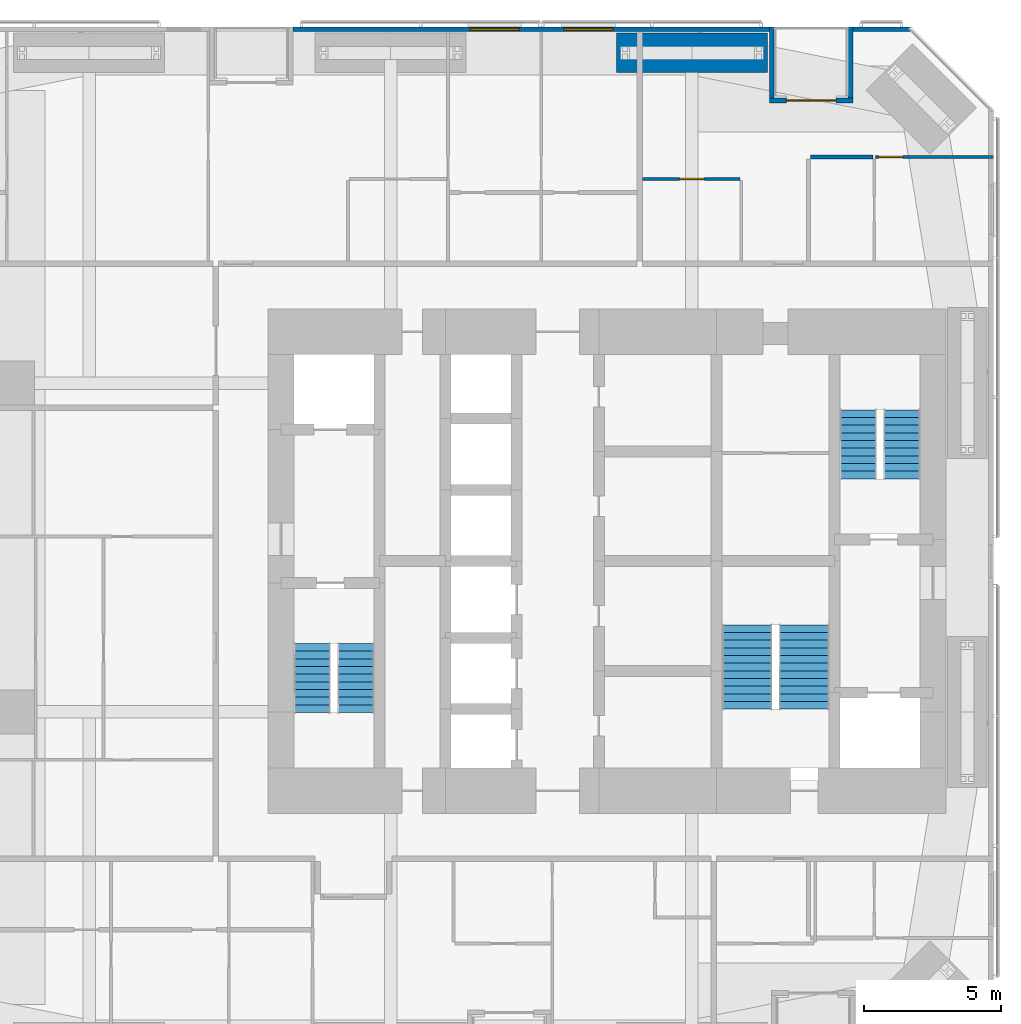
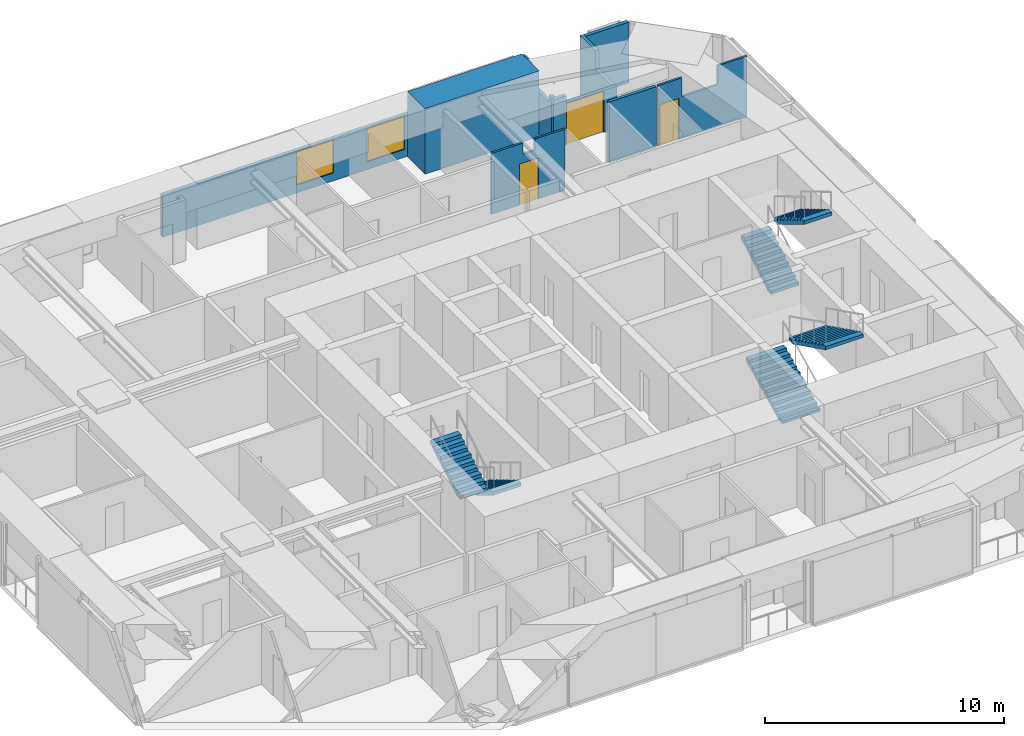
# One storey, part 23 of 24: 10 walls, 6 stair flights, 3 doors, 2 windows, 5 openings, 3 elements without a shape of their own.
"""IFC4 building model written with IfcOpenShell, lengths in metres."""

from ifc_helpers import new_model, si_unit, direction, frame, frame_2d, origin, place, context, subcontext, project, spatial, polyline, rectangle, outline, extrude, material, layer, layer_set, constituent, constituent_set, type_object, element, fill, aggregate, save


model = new_model("IFC4")

# Units and contexts
model_context = context("Model", 3, precision=1e-05, world=origin(), true_north=direction((0.0, 1.0)))
body_context = subcontext(model_context, "Body", "Model", "MODEL_VIEW")
ifc_project = project(units=[si_unit("LENGTHUNIT", "METRE"), si_unit("AREAUNIT", "SQUARE_METRE"), si_unit("VOLUMEUNIT", "CUBIC_METRE"), si_unit("PLANEANGLEUNIT", "RADIAN"), si_unit("MASSUNIT", "GRAM", prefix="KILO")], contexts=[model_context])

# Site, building, storey
site_placement = place(None, origin())
site = spatial("IfcSite", under=ifc_project, at=site_placement, CompositionType="ELEMENT")
building_placement = place(site_placement, origin())
building = spatial("IfcBuilding", under=site, at=building_placement, Name="Jalousie Tower", CompositionType="ELEMENT")
storey_placement = place(building_placement, frame((0.0, 0.0, 54.5)))
storey = spatial("IfcBuildingStorey", under=building, at=storey_placement, Name="L14", CompositionType="ELEMENT", Elevation=54.5)

# Walls
ifc_material_1 = material(Name="Concrete block ASTM C90", Category="concrete")
ifc_constituent_1 = constituent(ifc_material_1, Name="Body")
ifc_material_2 = material(Name="Render")
ifc_constituent_2 = constituent(ifc_material_2, Name="Finish")
ifc_constituent_set_1 = constituent_set(constituents=[ifc_constituent_1, ifc_constituent_2])
wall_type_1 = type_object("IfcWallType", Name="BATHROOM WALL 150", PredefinedType="PLUMBINGWALL", material=ifc_constituent_set_1)
wall_1_placement = place(storey_placement, frame((39.324951171875, 33.25341796875, 0.0), z_axis=(0.0, 0.0, 1.0), x_axis=(1.0, 0.0, 0.0)))
element("IfcWall", 1, at=wall_1_placement, inside=storey, type_object=wall_type_1, Name="Bathroom Wall 150 L14", PredefinedType="PLUMBINGWALL", context=body_context, shape_type="SweptSolid", body=[
    extrude(rectangle(XDim=2.275146484375, YDim=0.14990234375, at=frame_2d((1.1376953125, 0.0))), origin(), (0.0, 0.0, 1.0), 3.110107421875),
])
ifc_material_3 = material(Name="Concrete f'c 40 MPa", Category="concrete")
ifc_constituent_3 = constituent(ifc_material_3, Name="Body")
ifc_material_4 = material(Name="Render, pastel coral")
ifc_constituent_4 = constituent(ifc_material_4, Name="Finish")
ifc_constituent_set_2 = constituent_set(constituents=[ifc_constituent_3, ifc_constituent_4])
wall_type_2 = type_object("IfcWallType", Name="EXTERNAL WALL 175 CORAL RENDER", PredefinedType="SOLIDWALL", material=ifc_constituent_set_2)
wall_2_placement = place(storey_placement, frame((42.94873046875, 37.91259765625, 0.0), z_axis=(0.0, 0.0, 1.0), x_axis=(-1.0, 0.0, 0.0)))
element("IfcWall", 2, at=wall_2_placement, inside=storey, type_object=wall_type_2, Name="External Wall 175 Coral Render L14", PredefinedType="SOLIDWALL", context=body_context, shape_type="SweptSolid", body=[
    extrude(rectangle(XDim=2.074951171875, YDim=0.175048828125, at=frame_2d((1.03759765625, 0.0))), origin(), (0.0, 0.0, 1.0), 3.110107421875),
])

# Wall, openings, windows
wall_3_placement = place(storey_placement, frame((37.82373046875, 37.91259765625, 0.0), z_axis=(0.0, 0.0, 1.0), x_axis=(-1.0, 0.0, 0.0)))
wall_3 = element("IfcWall", 3, at=wall_3_placement, inside=storey, type_object=wall_type_2, Name="External Wall 175 Coral Render L14", PredefinedType="SOLIDWALL", context=body_context, shape_type="SweptSolid", body=[
    extrude(outline(polyline([(0.0, 0.0), (17.373779296875, 0.0), (17.373779296875, 2.14990234375), (2.82373046875, 2.14990234375), (2.82373046875, 3.110107421875), (2.66796875, 3.110107421875), (2.66796875, 2.14990234375), (2.61962890625, 2.14990234375), (2.61962890625, 3.110107421875), (0.0, 3.110107421875), (0.0, 0.0)])), frame((0.0, 0.08740234375, 0.0), z_axis=(0.0, -1.0, 0.0), x_axis=(1.0, 0.0, 0.0)), (0.0, 0.0, 1.0), 0.175048828125),
])
opening_1_placement = place(wall_3_placement, frame((5.69873046875, 0.0, 0.39990234375)))
opening_1 = element("IfcOpeningElement", 4, at=opening_1_placement, cuts=wall_3, Name="Opening W-BED170", PredefinedType="OPENING", context=body_context, shape_type="SweptSolid", body=[
    extrude(rectangle(XDim=1.800048828125, YDim=1.699951171875, at=frame_2d((0.89990234375, 0.85009765625))), frame((0.0, 0.097412109375, 0.0), z_axis=(0.0, -1.0, 0.0), x_axis=(1.0, 0.0, 0.0)), (0.0, 0.0, 1.0), 0.195068359375),
])
opening_2_placement = place(wall_3_placement, frame((9.123779296875, 0.0, 0.39990234375)))
opening_2 = element("IfcOpeningElement", 5, at=opening_2_placement, cuts=wall_3, Name="Opening W-BED170", PredefinedType="OPENING", context=body_context, shape_type="SweptSolid", body=[
    extrude(rectangle(XDim=1.800048828125, YDim=1.699951171875, at=frame_2d((0.89990234375, 0.85009765625))), frame((0.0, 0.097412109375, 0.0), z_axis=(0.0, -1.0, 0.0), x_axis=(1.0, 0.0, 0.0)), (0.0, 0.0, 1.0), 0.195068359375),
])
ifc_material_5 = material(Name="Aluminium frame, impact-rated glazing", Category="aluminium")
window_type = type_object("IfcWindowType", Name="WINDOW BED 1800x1700", PartitioningType="SINGLE_PANEL", PredefinedType="WINDOW", material=ifc_material_5)
window_1_placement = place(opening_1_placement, origin())
window_1 = element("IfcWindow", 6, at=window_1_placement, inside=storey, type_object=window_type, Name="Apartment 1403 bedroom 4 window", OverallHeight=1.699951171875, OverallWidth=1.800048828125, PartitioningType="SINGLE_PANEL", PredefinedType="WINDOW", context=body_context, shape_type="SweptSolid", body=[
    extrude(rectangle(XDim=1.800048828125, YDim=1.699951171875, at=frame_2d((0.89990234375, 0.85009765625))), frame((0.0, 0.030029296875, 0.0), z_axis=(0.0, -1.0, 0.0), x_axis=(1.0, 0.0, 0.0)), (0.0, 0.0, 1.0), 0.06005859375),
])
fill(opening_1, window_1)
window_2_placement = place(opening_2_placement, origin())
window_2 = element("IfcWindow", 7, at=window_2_placement, inside=storey, type_object=window_type, Name="Apartment 1403 bedroom 3 window", OverallHeight=1.699951171875, OverallWidth=1.800048828125, PartitioningType="SINGLE_PANEL", PredefinedType="WINDOW", context=body_context, shape_type="SweptSolid", body=[
    extrude(rectangle(XDim=1.800048828125, YDim=1.699951171875, at=frame_2d((0.89990234375, 0.85009765625))), frame((0.0, 0.030029296875, 0.0), z_axis=(0.0, -1.0, 0.0), x_axis=(1.0, 0.0, 0.0)), (0.0, 0.0, 1.0), 0.06005859375),
])
fill(opening_2, window_2)

# Wall, opening, door
wall_4_placement = place(storey_placement, frame((40.873779296875, 35.3125, 0.0), z_axis=(0.0, 0.0, 1.0), x_axis=(-1.0, 0.0, 0.0)))
wall_4 = element("IfcWall", 8, at=wall_4_placement, inside=storey, type_object=wall_type_2, Name="External Wall 175 Coral Render L14-A", PredefinedType="SOLIDWALL", context=body_context, shape_type="SweptSolid", body=[
    extrude(rectangle(XDim=2.425048828125, YDim=0.175048828125, at=frame_2d((1.21240234375, 0.0))), origin(), (0.0, 0.0, 1.0), 2.14990234375),
])
opening_3_placement = place(wall_4_placement, frame((0.625, 0.0, 0.0)))
opening_3 = element("IfcOpeningElement", 9, at=opening_3_placement, cuts=wall_4, Name="Opening D-BAL21", PredefinedType="OPENING", context=body_context, shape_type="SweptSolid", body=[
    extrude(rectangle(XDim=1.800048828125, YDim=2.10009765625, at=frame_2d((0.89990234375, 1.050048828125))), frame((0.0, 0.097412109375, 0.0), z_axis=(0.0, -1.0, 0.0), x_axis=(1.0, 0.0, 0.0)), (0.0, 0.0, 1.0), 0.195068359375),
])
ifc_material_6 = material(Name="Aluminium frame, impact-rated glazing", Category="aluminium")
door_type_1 = type_object("IfcDoorType", Name="BALCONY DOOR 1800x2100", OperationType="SLIDING_TO_LEFT", PredefinedType="DOOR", material=ifc_material_6)
door_1_placement = place(opening_3_placement, origin())
door_1 = element("IfcDoor", 10, at=door_1_placement, inside=storey, type_object=door_type_1, Name="Apartment 1404 living and dining room loggia door", OperationType="SLIDING_TO_LEFT", OverallHeight=2.10009765625, OverallWidth=1.800048828125, PredefinedType="DOOR", context=body_context, shape_type="SweptSolid", body=[
    extrude(rectangle(XDim=1.800048828125, YDim=2.10009765625, at=frame_2d((0.89990234375, 1.050048828125))), frame((0.0, 0.02490234375, 0.0), z_axis=(0.0, -1.0, 0.0), x_axis=(1.0, 0.0, 0.0)), (0.0, 0.0, 1.0), 0.050048828125),
])
fill(opening_3, door_1)

# Walls
wall_5_placement = place(storey_placement, frame((38.44873046875, 35.3125, 0.0), z_axis=(0.0, 0.0, 1.0), x_axis=(-1.0, 0.0, 0.0)))
element("IfcWall", 11, at=wall_5_placement, inside=storey, type_object=wall_type_2, Name="External Wall 175 Coral Render L14-B", PredefinedType="SOLIDWALL", context=body_context, shape_type="SweptSolid", body=[
    extrude(rectangle(XDim=0.625, YDim=0.175048828125, at=frame_2d((0.3125, 0.0))), origin(), (0.0, 0.0, 1.0), 2.510009765625),
])
wall_6_placement = place(storey_placement, frame((40.7861328125, 38.0, 0.0), z_axis=(0.0, 0.0, 1.0), x_axis=(0.0, -1.0, 0.0)))
element("IfcWall", 12, at=wall_6_placement, inside=storey, type_object=wall_type_2, Name="External Wall 175 Coral Render L14", PredefinedType="SOLIDWALL", context=body_context, shape_type="SweptSolid", body=[
    extrude(outline(polyline([(0.0, 0.0), (2.60009765625, 0.0), (2.60009765625, 2.14990234375), (1.279052734375, 2.14990234375), (1.279052734375, 3.110107421875), (0.0, 3.110107421875), (0.0, 0.0)])), frame((0.0, 0.08740234375, 0.0), z_axis=(0.0, -1.0, 0.0), x_axis=(1.0, 0.0, 0.0)), (0.0, 0.0, 1.0), 0.175048828125),
])
wall_7_placement = place(storey_placement, frame((37.9111328125, 38.0, 0.0), z_axis=(0.0, 0.0, 1.0), x_axis=(0.0, -1.0, 0.0)))
element("IfcWall", 13, at=wall_7_placement, inside=storey, type_object=wall_type_2, Name="External Wall 175 Coral Render L14", PredefinedType="SOLIDWALL", context=body_context, shape_type="SweptSolid", body=[
    extrude(outline(polyline([(0.0, 0.0), (2.60009765625, 0.0), (2.60009765625, 2.510009765625), (2.368408203125, 2.510009765625), (2.368408203125, 2.14990234375), (0.701416015625, 2.14990234375), (0.701416015625, 3.110107421875), (0.0, 3.110107421875), (0.0, 0.0)])), frame((0.0, 0.08740234375, 0.0), z_axis=(0.0, -1.0, 0.0), x_axis=(1.0, 0.0, 0.0)), (0.0, 0.0, 1.0), 0.175048828125),
])

# Wall, opening, door
ifc_material_7 = material(Name="Gypsum board", Category="gypsum")
ifc_constituent_5 = constituent(ifc_material_7, Name="Body")
ifc_material_8 = material(Name="Light-gauge steel studs ASTM A653 SS Grade 33", Category="steel")
ifc_constituent_6 = constituent(ifc_material_8, Name="Framing")
ifc_constituent_set_3 = constituent_set(constituents=[ifc_constituent_5, ifc_constituent_6])
wall_type_3 = type_object("IfcWallType", Name="PARTITION 100", PredefinedType="PARTITIONING", material=ifc_constituent_set_3)
wall_8_placement = place(storey_placement, frame((41.699951171875, 33.25341796875, 0.0), z_axis=(0.0, 0.0, 1.0), x_axis=(1.0, 0.0, 0.0)))
wall_8 = element("IfcWall", 14, at=wall_8_placement, inside=storey, type_object=wall_type_3, Name="Partition 100 L14", PredefinedType="PARTITIONING", context=body_context, shape_type="SweptSolid", body=[
    extrude(outline(polyline([(0.0, 0.0), (4.300048828125, 0.0), (4.300048828125, 3.110107421875), (2.8828125, 3.110107421875), (2.8828125, 2.14990234375), (1.140380859375, 2.14990234375), (1.140380859375, 3.110107421875), (0.0, 3.110107421875), (0.0, 0.0)])), frame((0.0, 0.050048828125, 0.0), z_axis=(0.0, -1.0, 0.0), x_axis=(1.0, 0.0, 0.0)), (0.0, 0.0, 1.0), 0.10009765625),
])
opening_4_placement = place(wall_8_placement, frame((0.10009765625, 0.0, 0.0)))
opening_4 = element("IfcOpeningElement", 15, at=opening_4_placement, cuts=wall_8, Name="Opening D2", PredefinedType="OPENING", context=body_context, shape_type="SweptSolid", body=[
    extrude(rectangle(XDim=0.89990234375, YDim=2.10009765625, at=frame_2d((0.449951171875, 1.050048828125))), frame((0.0, 0.06005859375, 0.0), z_axis=(0.0, -1.0, 0.0), x_axis=(1.0, 0.0, 0.0)), (0.0, 0.0, 1.0), 0.1201171875),
])
ifc_material_9 = material(Name="Timber door", Category="wood")
door_type_2 = type_object("IfcDoorType", Name="BEDROOM DOOR 900", OperationType="SINGLE_SWING_LEFT", PredefinedType="DOOR", material=ifc_material_9)
door_2_placement = place(opening_4_placement, frame((0.89990234375, 0.0, 0.0), z_axis=(0.0, 0.0, 1.0), x_axis=(-1.0, 0.0, 0.0)))
door_2 = element("IfcDoor", 16, at=door_2_placement, inside=storey, type_object=door_type_2, Name="Apartment 1404 bedroom 1 door", OperationType="SINGLE_SWING_RIGHT", OverallHeight=2.10009765625, OverallWidth=0.89990234375, PredefinedType="DOOR", context=body_context, shape_type="SweptSolid", body=[
    extrude(rectangle(XDim=0.89990234375, YDim=2.10009765625, at=frame_2d((0.449951171875, 1.050048828125))), frame((0.0, 0.02490234375, 0.0), z_axis=(0.0, -1.0, 0.0), x_axis=(1.0, 0.0, 0.0)), (0.0, 0.0, 1.0), 0.050048828125),
])
fill(opening_4, door_2)

wall_9_placement = place(storey_placement, frame((33.199951171875, 32.449951171875, 0.0), z_axis=(0.0, 0.0, 1.0), x_axis=(1.0, 0.0, 0.0)))
wall_9 = element("IfcWall", 17, at=wall_9_placement, inside=storey, type_object=wall_type_3, Name="Partition 100 L14", PredefinedType="PARTITIONING", context=body_context, shape_type="SweptSolid", body=[
    extrude(outline(polyline([(0.0, 0.0), (3.550048828125, 0.0), (3.550048828125, 3.110107421875), (2.08740234375, 3.110107421875), (2.08740234375, 2.541015625), (1.5126953125, 2.541015625), (1.5126953125, 3.110107421875), (0.0, 3.110107421875), (0.0, 0.0)])), frame((0.0, 0.050048828125, 0.0), z_axis=(0.0, -1.0, 0.0), x_axis=(1.0, 0.0, 0.0)), (0.0, 0.0, 1.0), 0.10009765625),
])
opening_5_placement = place(wall_9_placement, frame((1.35009765625, 0.0, 0.0)))
opening_5 = element("IfcOpeningElement", 18, at=opening_5_placement, cuts=wall_9, Name="Opening D7", PredefinedType="OPENING", context=body_context, shape_type="SweptSolid", body=[
    extrude(rectangle(XDim=0.89990234375, YDim=2.10009765625, at=frame_2d((0.449951171875, 1.050048828125))), frame((0.0, 0.06005859375, 0.0), z_axis=(0.0, -1.0, 0.0), x_axis=(1.0, 0.0, 0.0)), (0.0, 0.0, 1.0), 0.1201171875),
])
ifc_material_10 = material(Name="Timber door", Category="wood")
door_type_3 = type_object("IfcDoorType", Name="INTERNAL DOOR 900", OperationType="SINGLE_SWING_LEFT", PredefinedType="DOOR", material=ifc_material_10)
door_3_placement = place(opening_5_placement, origin())
door_3 = element("IfcDoor", 19, at=door_3_placement, inside=storey, type_object=door_type_3, Name="Apartment 1404 kitchen door", OperationType="SINGLE_SWING_LEFT", OverallHeight=2.10009765625, OverallWidth=0.89990234375, PredefinedType="DOOR", context=body_context, shape_type="SweptSolid", body=[
    extrude(rectangle(XDim=0.89990234375, YDim=2.10009765625, at=frame_2d((0.449951171875, 1.050048828125))), frame((0.0, 0.02490234375, 0.0), z_axis=(0.0, -1.0, 0.0), x_axis=(1.0, 0.0, 0.0)), (0.0, 0.0, 1.0), 0.050048828125),
])
fill(opening_5, door_3)

# Wall
ifc_material_11 = material(Name="Concrete f'c 120 MPa", Category="concrete")
ifc_layer = layer(ifc_material_11, 1.449951171875)
ifc_layer_set = layer_set([ifc_layer], Name="Concrete f'c 120 MPa")
wall_type_4 = type_object("IfcWallType", Name="RC WALL PIER 1450", PredefinedType="SHEAR", material=ifc_layer_set)
wall_10_placement = place(storey_placement, frame((32.25, 37.050048828125, 0.0), z_axis=(0.0, 0.0, 1.0), x_axis=(1.0, 0.0, 0.0)))
element("IfcWall", 20, at=wall_10_placement, inside=storey, type_object=wall_type_4, Name="Wall pier 09 L14", PredefinedType="SHEAR", context=body_context, shape_type="SweptSolid", body=[
    extrude(rectangle(XDim=5.5, YDim=1.449951171875, at=frame_2d((2.75, 0.0))), origin(), (0.0, 0.0, 1.0), 3.35009765625),
])

# Stair, stair flights
ifc_material_12 = material(Name="Concrete f'c 40 MPa", Category="concrete")
stair_type = type_object("IfcStairType", Name="EXIT STAIR", PredefinedType="HALF_TURN_STAIR", material=ifc_material_12)
stair_1_placement = place(storey_placement, origin())
stair_1 = element("IfcStair", 21, at=stair_1_placement, inside=storey, type_object=stair_type, Name="Exit stair A L14", PredefinedType="HALF_TURN_STAIR")
ifc_material_13 = material(Name="Concrete f'c 40 MPa", Category="concrete")
stair_flight_type = type_object("IfcStairFlightType", Name="STAIR FLIGHT", PredefinedType="STRAIGHT", material=ifc_material_13)
stair_flight_1_placement = place(storey_placement, frame((22.731201171875, 15.49755859375, 0.0), z_axis=(0.0, 0.0, 1.0), x_axis=(0.0, -1.0, 0.0)))
stair_flight_1 = element("IfcStairFlight", 22, at=stair_flight_1_placement, type_object=stair_flight_type, Name="ST-A flight 1", NumberOfRisers=10, NumberOfTreads=9, PredefinedType="STRAIGHT", RiserHeight=0.1675, TreadLength=0.28, context=body_context, shape_type="SweptSolid", body=[
    extrude(outline(polyline([(0.0, 0.0), (0.0, 0.16748046875), (0.280029296875, 0.16748046875), (0.280029296875, 0.3349609375), (0.56005859375, 0.3349609375), (0.56005859375, 0.50244140625), (0.840087890625, 0.50244140625), (0.840087890625, 0.669921875), (1.1201171875, 0.669921875), (1.1201171875, 0.83740234375), (1.39990234375, 0.83740234375), (1.39990234375, 1.0048828125), (1.679931640625, 1.0048828125), (1.679931640625, 1.172607421875), (1.9599609375, 1.172607421875), (1.9599609375, 1.340087890625), (2.239990234375, 1.340087890625), (2.239990234375, 1.507568359375), (2.52001953125, 1.507568359375), (2.52001953125, 1.675048828125), (2.52001953125, 1.332763671875), (0.2919921875, 0.0), (0.0, 0.0)])), frame((0.0, 0.668701171875, 0.0), z_axis=(0.0, -1.0, 0.0), x_axis=(1.0, 0.0, 0.0)), (0.0, 0.0, 1.0), 1.33740234375),
])
stair_flight_2_placement = place(storey_placement, frame((21.143798828125, 12.9775390625, 1.675048828125), z_axis=(0.0, 0.0, 1.0), x_axis=(0.0, 1.0, 0.0)))
stair_flight_2 = element("IfcStairFlight", 23, at=stair_flight_2_placement, type_object=stair_flight_type, Name="ST-A flight 2", NumberOfRisers=10, NumberOfTreads=9, PredefinedType="STRAIGHT", RiserHeight=0.1675, TreadLength=0.28, context=body_context, shape_type="SweptSolid", body=[
    extrude(outline(polyline([(0.0, 0.0), (0.0, 0.16748046875), (0.280029296875, 0.16748046875), (0.280029296875, 0.3349609375), (0.56005859375, 0.3349609375), (0.56005859375, 0.50244140625), (0.840087890625, 0.50244140625), (0.840087890625, 0.669921875), (1.1201171875, 0.669921875), (1.1201171875, 0.83740234375), (1.39990234375, 0.83740234375), (1.39990234375, 1.0048828125), (1.679931640625, 1.0048828125), (1.679931640625, 1.172607421875), (1.9599609375, 1.172607421875), (1.9599609375, 1.340087890625), (2.239990234375, 1.340087890625), (2.239990234375, 1.507568359375), (2.52001953125, 1.507568359375), (2.52001953125, 1.675048828125), (2.52001953125, 1.332763671875), (0.2919921875, 0.0), (0.0, 0.0)])), frame((0.0, 0.668701171875, 0.0), z_axis=(0.0, -1.0, 0.0), x_axis=(1.0, 0.0, 0.0)), (0.0, 0.0, 1.0), 1.33740234375),
])
aggregate(stair_1, [stair_flight_1, stair_flight_2])

stair_2_placement = place(storey_placement, origin())
stair_2 = element("IfcStair", 24, at=stair_2_placement, inside=storey, type_object=stair_type, Name="Exit stair B L14", PredefinedType="HALF_TURN_STAIR")
stair_flight_3_placement = place(storey_placement, frame((41.06884765625, 21.50244140625, 0.0), z_axis=(0.0, 0.0, 1.0), x_axis=(0.0, 1.0, 0.0)))
stair_flight_3 = element("IfcStairFlight", 25, at=stair_flight_3_placement, type_object=stair_flight_type, Name="ST-B flight 1", NumberOfRisers=10, NumberOfTreads=9, PredefinedType="STRAIGHT", RiserHeight=0.1675, TreadLength=0.28, context=body_context, shape_type="SweptSolid", body=[
    extrude(outline(polyline([(0.0, 0.0), (0.0, 0.16748046875), (0.280029296875, 0.16748046875), (0.280029296875, 0.3349609375), (0.56005859375, 0.3349609375), (0.56005859375, 0.50244140625), (0.840087890625, 0.50244140625), (0.840087890625, 0.669921875), (1.1201171875, 0.669921875), (1.1201171875, 0.83740234375), (1.39990234375, 0.83740234375), (1.39990234375, 1.0048828125), (1.679931640625, 1.0048828125), (1.679931640625, 1.172607421875), (1.9599609375, 1.172607421875), (1.9599609375, 1.340087890625), (2.239990234375, 1.340087890625), (2.239990234375, 1.507568359375), (2.52001953125, 1.507568359375), (2.52001953125, 1.675048828125), (2.52001953125, 1.332763671875), (0.2919921875, 0.0), (0.0, 0.0)])), frame((0.0, 0.668701171875, 0.0), z_axis=(0.0, -1.0, 0.0), x_axis=(1.0, 0.0, 0.0)), (0.0, 0.0, 1.0), 1.33740234375),
])
stair_flight_4_placement = place(storey_placement, frame((42.65625, 24.0224609375, 1.675048828125), z_axis=(0.0, 0.0, 1.0), x_axis=(0.0, -1.0, 0.0)))
stair_flight_4 = element("IfcStairFlight", 26, at=stair_flight_4_placement, type_object=stair_flight_type, Name="ST-B flight 2", NumberOfRisers=10, NumberOfTreads=9, PredefinedType="STRAIGHT", RiserHeight=0.1675, TreadLength=0.28, context=body_context, shape_type="SweptSolid", body=[
    extrude(outline(polyline([(0.0, 0.0), (0.0, 0.16748046875), (0.280029296875, 0.16748046875), (0.280029296875, 0.3349609375), (0.56005859375, 0.3349609375), (0.56005859375, 0.50244140625), (0.840087890625, 0.50244140625), (0.840087890625, 0.669921875), (1.1201171875, 0.669921875), (1.1201171875, 0.83740234375), (1.39990234375, 0.83740234375), (1.39990234375, 1.0048828125), (1.679931640625, 1.0048828125), (1.679931640625, 1.172607421875), (1.9599609375, 1.172607421875), (1.9599609375, 1.340087890625), (2.239990234375, 1.340087890625), (2.239990234375, 1.507568359375), (2.52001953125, 1.507568359375), (2.52001953125, 1.675048828125), (2.52001953125, 1.332763671875), (0.2919921875, 0.0), (0.0, 0.0)])), frame((0.0, 0.668701171875, 0.0), z_axis=(0.0, -1.0, 0.0), x_axis=(1.0, 0.0, 0.0)), (0.0, 0.0, 1.0), 1.33740234375),
])
aggregate(stair_2, [stair_flight_3, stair_flight_4])

stair_3_placement = place(storey_placement, origin())
stair_3 = element("IfcStair", 27, at=stair_3_placement, inside=storey, type_object=stair_type, Name="Exit stair C L14", PredefinedType="HALF_TURN_STAIR")
stair_flight_5_placement = place(storey_placement, frame((37.012451171875, 13.097412109375, 0.0), z_axis=(0.0, 0.0, 1.0), x_axis=(0.0, 1.0, 0.0)))
stair_flight_5 = element("IfcStairFlight", 28, at=stair_flight_5_placement, type_object=stair_flight_type, Name="ST-C flight 1", NumberOfRisers=12, NumberOfTreads=11, PredefinedType="STRAIGHT", RiserHeight=0.139583333, TreadLength=0.28, context=body_context, shape_type="SweptSolid", body=[
    extrude(outline(polyline([(0.0, 0.0), (0.0, 0.1396484375), (0.280029296875, 0.1396484375), (0.280029296875, 0.279052734375), (0.56005859375, 0.279052734375), (0.56005859375, 0.418701171875), (0.840087890625, 0.418701171875), (0.840087890625, 0.558349609375), (1.1201171875, 0.558349609375), (1.1201171875, 0.697998046875), (1.39990234375, 0.697998046875), (1.39990234375, 0.83740234375), (1.679931640625, 0.83740234375), (1.679931640625, 0.97705078125), (1.9599609375, 0.97705078125), (1.9599609375, 1.11669921875), (2.239990234375, 1.11669921875), (2.239990234375, 1.25634765625), (2.52001953125, 1.25634765625), (2.52001953125, 1.395751953125), (2.800048828125, 1.395751953125), (2.800048828125, 1.535400390625), (3.080078125, 1.535400390625), (3.080078125, 1.675048828125), (3.080078125, 1.367919921875), (0.3359375, 0.0), (0.0, 0.0)])), frame((0.0, 0.91259765625, 0.0), z_axis=(0.0, -1.0, 0.0), x_axis=(1.0, 0.0, 0.0)), (0.0, 0.0, 1.0), 1.824951171875),
])
stair_flight_6_placement = place(storey_placement, frame((39.08740234375, 16.177490234375, 1.675048828125), z_axis=(0.0, 0.0, 1.0), x_axis=(0.0, -1.0, 0.0)))
stair_flight_6 = element("IfcStairFlight", 29, at=stair_flight_6_placement, type_object=stair_flight_type, Name="ST-C flight 2", NumberOfRisers=12, NumberOfTreads=11, PredefinedType="STRAIGHT", RiserHeight=0.139583333, TreadLength=0.28, context=body_context, shape_type="SweptSolid", body=[
    extrude(outline(polyline([(0.0, 0.0), (0.0, 0.1396484375), (0.280029296875, 0.1396484375), (0.280029296875, 0.279052734375), (0.56005859375, 0.279052734375), (0.56005859375, 0.418701171875), (0.840087890625, 0.418701171875), (0.840087890625, 0.558349609375), (1.1201171875, 0.558349609375), (1.1201171875, 0.697998046875), (1.39990234375, 0.697998046875), (1.39990234375, 0.83740234375), (1.679931640625, 0.83740234375), (1.679931640625, 0.97705078125), (1.9599609375, 0.97705078125), (1.9599609375, 1.11669921875), (2.239990234375, 1.11669921875), (2.239990234375, 1.25634765625), (2.52001953125, 1.25634765625), (2.52001953125, 1.395751953125), (2.800048828125, 1.395751953125), (2.800048828125, 1.535400390625), (3.080078125, 1.535400390625), (3.080078125, 1.675048828125), (3.080078125, 1.367919921875), (0.3359375, 0.0), (0.0, 0.0)])), frame((0.0, 0.91259765625, 0.0), z_axis=(0.0, -1.0, 0.0), x_axis=(1.0, 0.0, 0.0)), (0.0, 0.0, 1.0), 1.824951171875),
])
aggregate(stair_3, [stair_flight_5, stair_flight_6])

save(model, "model.ifc")
